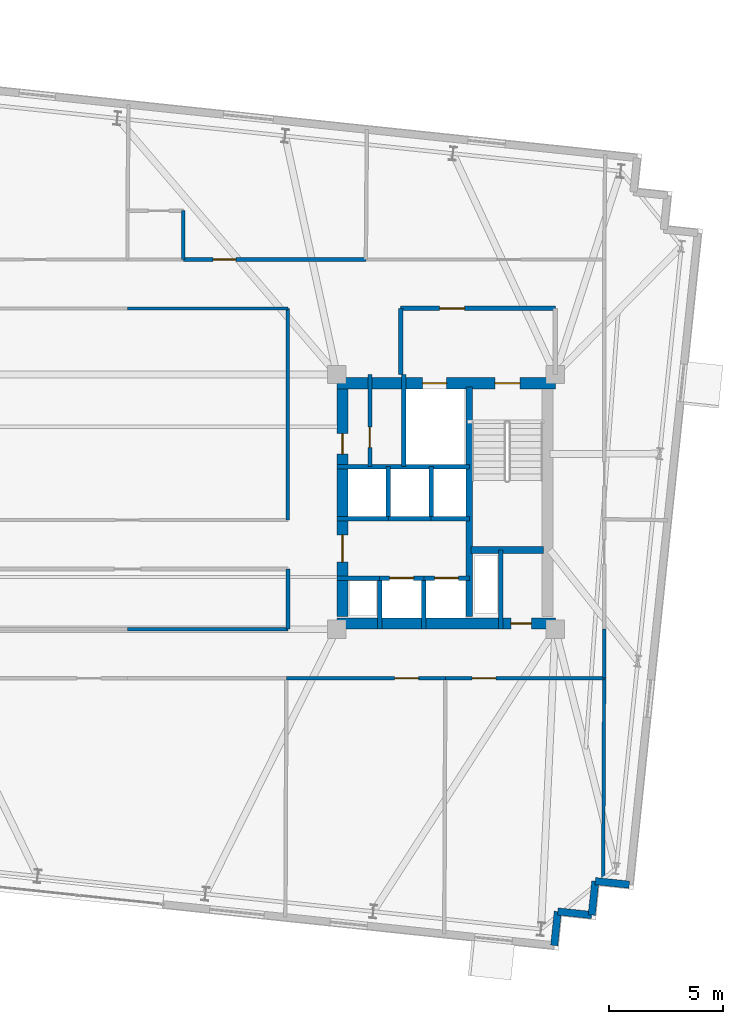
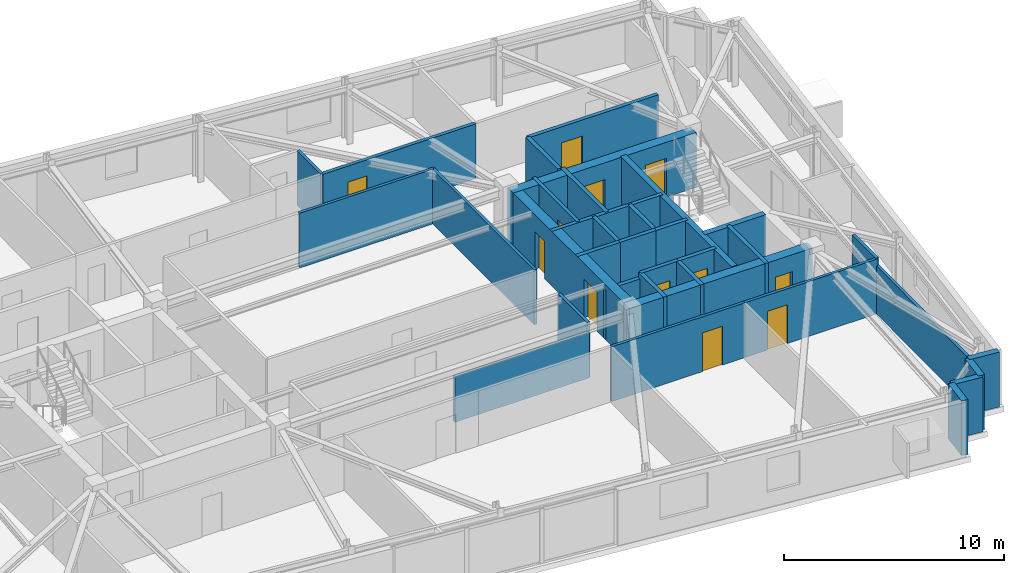
# One storey, part 9 of 12: 35 walls, 12 doors, 12 openings.
"""IFC4 building model written with IfcOpenShell, lengths in metres."""

from ifc_helpers import new_model, si_unit, direction, frame, frame_2d, origin, place, context, subcontext, project, spatial, rectangle, extrude, material, layer, layer_set, type_object, element, fill, save


model = new_model("IFC4")

# Units and contexts
model_context = context("Model", 3, precision=1e-05, world=origin(), true_north=direction((0.0, 1.0)))
body_context = subcontext(model_context, "Body", "Model", "MODEL_VIEW")
ifc_project = project(units=[si_unit("LENGTHUNIT", "METRE"), si_unit("AREAUNIT", "SQUARE_METRE"), si_unit("VOLUMEUNIT", "CUBIC_METRE"), si_unit("PLANEANGLEUNIT", "RADIAN"), si_unit("MASSUNIT", "GRAM", prefix="KILO")], contexts=[model_context])

# Site, building, storey
site_placement = place(None, origin())
site = spatial("IfcSite", under=ifc_project, at=site_placement, CompositionType="ELEMENT")
building_placement = place(site_placement, origin())
building = spatial("IfcBuilding", under=site, at=building_placement, Name="Qobustan Lattice House", CompositionType="ELEMENT")
storey_placement = place(building_placement, frame((0.0, 0.0, 203.10009765625)))
storey = spatial("IfcBuildingStorey", under=building, at=storey_placement, Name="L57", CompositionType="ELEMENT", Elevation=203.10009765625)

# Wall, openings, doors
ifc_material_1 = material(Name="Concrete C50/60", Category="concrete")
ifc_layer_1 = layer(ifc_material_1, 0.5)
ifc_layer_set_1 = layer_set([ifc_layer_1], Name="Concrete C50/60")
wall_type_1 = type_object("IfcWallType", Name="WAL-CORE-500", PredefinedType="SHEAR", material=ifc_layer_set_1)
wall_1_placement = place(storey_placement, frame((9.199951171875, 5.2099609375, 0.0), z_axis=(0.0, 0.0, 1.0), x_axis=(1.0, 0.0, 0.0)))
wall_1 = element("IfcWall", 1, at=wall_1_placement, inside=storey, type_object=wall_type_1, Name="L57 split-core shear wall CE-N", PredefinedType="SHEAR", context=body_context, shape_type="SweptSolid", body=[
    extrude(rectangle(XDim=9.60009765625, YDim=0.5, at=frame_2d((4.800048828125, 0.0))), origin(), (0.0, 0.0, 1.0), 3.039794921875),
])
opening_1_placement = place(wall_1_placement, frame((6.949951171875, 0.0, 0.0)))
opening_1 = element("IfcOpeningElement", 2, at=opening_1_placement, cuts=wall_1, Name="Opening SD-01", PredefinedType="OPENING", context=body_context, shape_type="SweptSolid", body=[
    extrude(rectangle(XDim=1.10009765625, YDim=2.14990234375, at=frame_2d((0.550048828125, 1.074951171875))), frame((0.0, 0.260009765625, 0.0), z_axis=(0.0, -1.0, 0.0), x_axis=(1.0, 0.0, 0.0)), (0.0, 0.0, 1.0), 0.52001953125),
])
opening_2_placement = place(wall_1_placement, frame((3.77490234375, 0.0, 0.0)))
opening_2 = element("IfcOpeningElement", 3, at=opening_2_placement, cuts=wall_1, Name="Opening LD-01", PredefinedType="OPENING", context=body_context, shape_type="SweptSolid", body=[
    extrude(rectangle(XDim=1.050048828125, YDim=2.10009765625, at=frame_2d((0.52490234375, 1.050048828125))), frame((0.0, 0.260009765625, 0.0), z_axis=(0.0, -1.0, 0.0), x_axis=(1.0, 0.0, 0.0)), (0.0, 0.0, 1.0), 0.52001953125),
])
ifc_material_2 = material(Name="Persian walnut timber and steel frame door", Category="steel")
door_type_1 = type_object("IfcDoorType", Name="DOR-LIFT-LD-1050x2100", OperationType="NOTDEFINED", PredefinedType="DOOR", material=ifc_material_2)
door_1_placement = place(opening_2_placement, origin())
door_1 = element("IfcDoor", 4, at=door_1_placement, inside=storey, type_object=door_type_1, Name="L57 firefighting lift FF-E landing door", OperationType="DOUBLE_DOOR_SLIDING", OverallHeight=2.10009765625, OverallWidth=1.050048828125, PredefinedType="DOOR", context=body_context, shape_type="SweptSolid", body=[
    extrude(rectangle(XDim=1.050048828125, YDim=2.10009765625, at=frame_2d((0.52490234375, 1.050048828125))), frame((0.0, 0.02490234375, 0.0), z_axis=(0.0, -1.0, 0.0), x_axis=(1.0, 0.0, 0.0)), (0.0, 0.0, 1.0), 0.050048828125),
])
fill(opening_2, door_1)
ifc_material_3 = material(Name="Persian walnut timber and steel frame door", Category="steel")
door_type_2 = type_object("IfcDoorType", Name="DOR-STAIR-FD-1100x2150", OperationType="NOTDEFINED", PredefinedType="DOOR", material=ifc_material_3)
door_2_placement = place(opening_1_placement, origin())
door_2 = element("IfcDoor", 5, at=door_2_placement, inside=storey, type_object=door_type_2, Name="L57 exit stair ST-E1 fire door", OperationType="SINGLE_SWING_LEFT", OverallHeight=2.14990234375, OverallWidth=1.10009765625, PredefinedType="DOOR", context=body_context, shape_type="SweptSolid", body=[
    extrude(rectangle(XDim=1.10009765625, YDim=2.14990234375, at=frame_2d((0.550048828125, 1.074951171875))), frame((0.0, 0.02490234375, 0.0), z_axis=(0.0, -1.0, 0.0), x_axis=(1.0, 0.0, 0.0)), (0.0, 0.0, 1.0), 0.050048828125),
])
fill(opening_1, door_2)

# Wall, opening, door
wall_2_placement = place(storey_placement, frame((9.199951171875, -5.35009765625, 0.0), z_axis=(0.0, 0.0, 1.0), x_axis=(1.0, 0.0, 0.0)))
wall_2 = element("IfcWall", 6, at=wall_2_placement, inside=storey, type_object=wall_type_1, Name="L57 split-core shear wall CE-S", PredefinedType="SHEAR", context=body_context, shape_type="SweptSolid", body=[
    extrude(rectangle(XDim=9.60009765625, YDim=0.5, at=frame_2d((4.800048828125, 0.0))), origin(), (0.0, 0.0, 1.0), 3.039794921875),
])
opening_3_placement = place(wall_2_placement, frame((7.64990234375, 0.0, 0.0)))
opening_3 = element("IfcOpeningElement", 7, at=opening_3_placement, cuts=wall_2, Name="Opening RD-01", PredefinedType="OPENING", context=body_context, shape_type="SweptSolid", body=[
    extrude(rectangle(XDim=0.89990234375, YDim=2.10009765625, at=frame_2d((0.449951171875, 1.050048828125))), frame((0.0, 0.260009765625, 0.0), z_axis=(0.0, -1.0, 0.0), x_axis=(1.0, 0.0, 0.0)), (0.0, 0.0, 1.0), 0.52001953125),
])
ifc_material_4 = material(Name="Persian walnut timber and steel frame door", Category="steel")
door_type_3 = type_object("IfcDoorType", Name="DOR-RISER-FD-900x2100", OperationType="NOTDEFINED", PredefinedType="DOOR", material=ifc_material_4)
door_3_placement = place(opening_3_placement, origin())
door_3 = element("IfcDoor", 8, at=door_3_placement, inside=storey, type_object=door_type_3, Name="L57 core service riser access door E", OperationType="SINGLE_SWING_LEFT", OverallHeight=2.10009765625, OverallWidth=0.89990234375, PredefinedType="DOOR", context=body_context, shape_type="SweptSolid", body=[
    extrude(rectangle(XDim=0.89990234375, YDim=2.10009765625, at=frame_2d((0.449951171875, 1.050048828125))), frame((0.0, 0.02490234375, 0.0), z_axis=(0.0, -1.0, 0.0), x_axis=(1.0, 0.0, 0.0)), (0.0, 0.0, 1.0), 0.050048828125),
])
fill(opening_3, door_3)

# Wall, openings, doors
wall_3_placement = place(storey_placement, frame((9.449951171875, -5.050048828125, 0.0), z_axis=(0.0, 0.0, 1.0), x_axis=(0.0, 1.0, 0.0)))
wall_3 = element("IfcWall", 9, at=wall_3_placement, inside=storey, type_object=wall_type_1, Name="L57 split-core shear wall CE-W", PredefinedType="SHEAR", context=body_context, shape_type="SweptSolid", body=[
    extrude(rectangle(XDim=10.10009765625, YDim=0.5, at=frame_2d((5.050048828125, 0.0))), origin(), (0.0, 0.0, 1.0), 3.039794921875),
])
opening_4_placement = place(wall_3_placement, frame((7.14990234375, 0.0, 0.0)))
opening_4 = element("IfcOpeningElement", 10, at=opening_4_placement, cuts=wall_3, Name="Opening RD-01", PredefinedType="OPENING", context=body_context, shape_type="SweptSolid", body=[
    extrude(rectangle(XDim=0.89990234375, YDim=2.10009765625, at=frame_2d((0.449951171875, 1.050048828125))), frame((0.0, 0.260009765625, 0.0), z_axis=(0.0, -1.0, 0.0), x_axis=(1.0, 0.0, 0.0)), (0.0, 0.0, 1.0), 0.52001953125),
])
opening_5_placement = place(wall_3_placement, frame((2.39990234375, 0.0, 0.0)))
opening_5 = element("IfcOpeningElement", 11, at=opening_5_placement, cuts=wall_3, Name="Opening FD-01", PredefinedType="OPENING", context=body_context, shape_type="SweptSolid", body=[
    extrude(rectangle(XDim=1.199951171875, YDim=2.14990234375, at=frame_2d((0.60009765625, 1.074951171875))), frame((0.0, 0.260009765625, 0.0), z_axis=(0.0, -1.0, 0.0), x_axis=(1.0, 0.0, 0.0)), (0.0, 0.0, 1.0), 0.52001953125),
])
ifc_material_5 = material(Name="Persian walnut timber and steel frame door", Category="steel")
door_type_4 = type_object("IfcDoorType", Name="DOR-LOBBY-FD-1200x2150", OperationType="NOTDEFINED", PredefinedType="DOOR", material=ifc_material_5)
door_4_placement = place(opening_5_placement, origin())
door_4 = element("IfcDoor", 12, at=door_4_placement, inside=storey, type_object=door_type_4, Name="L57 East passenger lift lobby fire door", OperationType="SINGLE_SWING_RIGHT", OverallHeight=2.14990234375, OverallWidth=1.199951171875, PredefinedType="DOOR", context=body_context, shape_type="SweptSolid", body=[
    extrude(rectangle(XDim=1.199951171875, YDim=2.14990234375, at=frame_2d((0.60009765625, 1.074951171875))), frame((0.0, 0.02490234375, 0.0), z_axis=(0.0, -1.0, 0.0), x_axis=(1.0, 0.0, 0.0)), (0.0, 0.0, 1.0), 0.050048828125),
])
fill(opening_5, door_4)
door_5_placement = place(opening_4_placement, origin())
door_5 = element("IfcDoor", 13, at=door_5_placement, inside=storey, type_object=door_type_3, Name="L57 Print and mail closet fire door", OperationType="SINGLE_SWING_LEFT", OverallHeight=2.10009765625, OverallWidth=0.89990234375, PredefinedType="DOOR", context=body_context, shape_type="SweptSolid", body=[
    extrude(rectangle(XDim=0.89990234375, YDim=2.10009765625, at=frame_2d((0.449951171875, 1.050048828125))), frame((0.0, 0.02490234375, 0.0), z_axis=(0.0, -1.0, 0.0), x_axis=(1.0, 0.0, 0.0)), (0.0, 0.0, 1.0), 0.050048828125),
])
fill(opening_4, door_5)

# Walls
ifc_material_6 = material(Name="Concrete C50/60", Category="concrete")
ifc_layer_2 = layer(ifc_material_6, 0.280029296875)
ifc_layer_set_2 = layer_set([ifc_layer_2], Name="Concrete C50/60")
wall_type_2 = type_object("IfcWallType", Name="WAL-CORE-SPINE-280", PredefinedType="SHEAR", material=ifc_layer_set_2)
wall_4_placement = place(storey_placement, frame((15.02001953125, -5.050048828125, 0.0), z_axis=(0.0, 0.0, 1.0), x_axis=(0.0, 1.0, 0.0)))
element("IfcWall", 14, at=wall_4_placement, inside=storey, type_object=wall_type_2, Name="L57 split-core shear wall CE-M", PredefinedType="SHEAR", context=body_context, shape_type="SweptSolid", body=[
    extrude(rectangle(XDim=10.10009765625, YDim=0.300048828125, at=frame_2d((5.050048828125, 0.0))), origin(), (0.0, 0.0, 1.0), 3.039794921875),
])
wall_5_placement = place(storey_placement, frame((15.10009765625, -2.110107421875, 0.0), z_axis=(0.0, 0.0, 1.0), x_axis=(1.0, 0.0, 0.0)))
element("IfcWall", 15, at=wall_5_placement, inside=storey, type_object=wall_type_2, Name="L57 split-core shear wall CE-ST", PredefinedType="SHEAR", context=body_context, shape_type="SweptSolid", body=[
    extrude(rectangle(XDim=3.179931640625, YDim=0.300048828125, at=frame_2d((1.58984375, 0.0))), origin(), (0.0, 0.0, 1.0), 3.039794921875),
])
ifc_material_7 = material(Name="Precast concrete C40/50", Category="concrete")
ifc_layer_3 = layer(ifc_material_7, 0.320068359375)
ifc_layer_set_3 = layer_set([ifc_layer_3], Name="Precast concrete C40/50")
wall_type_3 = type_object("IfcWallType", Name="WAL-EXT-STONE-320", PredefinedType="SOLIDWALL", material=ifc_layer_set_3)
wall_6_placement = place(storey_placement, frame((22.052978515625, -16.828369140625, 0.0), z_axis=(0.0, 0.0, 1.0), x_axis=(-0.994526834051, 0.104481464157, 0.0)))
element("IfcWall", 16, at=wall_6_placement, inside=storey, type_object=wall_type_3, Name="L57 exterior limestone-clad wall 16", PredefinedType="SOLIDWALL", context=body_context, shape_type="SweptSolid", body=[
    extrude(rectangle(XDim=1.500244140625, YDim=0.320068359375, at=frame_2d((0.75, 0.0))), origin(), (0.0, 0.0, 1.0), 3.039794921875),
])
for number, where, z_axis, x_axis, name in (
    (17, (20.56103515625, -16.671630859375, 0.0), (0.0, 0.0, 1.0), (-0.104498377516, -0.994525057048, 0.0), "L57 exterior limestone-clad wall 17"),
    (18, (20.404296875, -18.163330078125, 0.0), (0.0, 0.0, 1.0), (-0.994525057048, 0.104498377516, 0.0), "L57 exterior limestone-clad wall 18"),
    (19, (18.91259765625, -18.006591796875, 0.0), (0.0, 0.0, 1.0), (-0.104498377516, -0.994525057048, 0.0), "L57 exterior limestone-clad wall 19"),
):
    element("IfcWall", number, at=place(storey_placement, frame(where, z_axis=z_axis, x_axis=x_axis)), inside=storey, type_object=wall_type_3, Name=name, PredefinedType="SOLIDWALL", context=body_context, shape_type="SweptSolid", body=[
        extrude(rectangle(XDim=1.5, YDim=0.320068359375, at=frame_2d((0.75, 0.0))), origin(), (0.0, 0.0, 1.0), 3.039794921875),
    ])

# Wall, opening, door
ifc_material_8 = material(Name="Gypsum fireboard acoustic partition", Category="gypsum")
ifc_layer_4 = layer(ifc_material_8, 0.179931640625)
ifc_layer_set_4 = layer_set([ifc_layer_4], Name="Gypsum fireboard acoustic partition")
wall_type_4 = type_object("IfcWallType", Name="WAL-FIRE-180", PredefinedType="PARTITIONING", material=ifc_layer_set_4)
wall_7_placement = place(storey_placement, frame((10.64990234375, 1.550048828125, 0.0), z_axis=(0.0, 0.0, 1.0), x_axis=(0.0, 1.0, 0.0)))
wall_7 = element("IfcWall", 20, at=wall_7_placement, inside=storey, type_object=wall_type_4, Name="L57 interior partition 18", PredefinedType="PARTITIONING", context=body_context, shape_type="SweptSolid", body=[
    extrude(rectangle(XDim=4.050048828125, YDim=0.179931640625, at=frame_2d((2.02490234375, 0.0))), origin(), (0.0, 0.0, 1.0), 3.039794921875),
])
opening_6_placement = place(wall_7_placement, frame((0.828857421875, 0.0, 0.0)))
opening_6 = element("IfcOpeningElement", 21, at=opening_6_placement, cuts=wall_7, Name="Opening RD-01", PredefinedType="OPENING", context=body_context, shape_type="SweptSolid", body=[
    extrude(rectangle(XDim=0.89990234375, YDim=2.10009765625, at=frame_2d((0.449951171875, 1.050048828125))), frame((0.0, 0.099853515625, 0.0), z_axis=(0.0, -1.0, 0.0), x_axis=(1.0, 0.0, 0.0)), (0.0, 0.0, 1.0), 0.199951171875),
])
door_6_placement = place(opening_6_placement, origin())
door_6 = element("IfcDoor", 22, at=door_6_placement, inside=storey, type_object=door_type_3, Name="L57 Print and mail closet to Core utility store door", OperationType="SINGLE_SWING_RIGHT", OverallHeight=2.10009765625, OverallWidth=0.89990234375, PredefinedType="DOOR", context=body_context, shape_type="SweptSolid", body=[
    extrude(rectangle(XDim=0.89990234375, YDim=2.10009765625, at=frame_2d((0.449951171875, 1.050048828125))), frame((0.0, 0.02490234375, 0.0), z_axis=(0.0, -1.0, 0.0), x_axis=(1.0, 0.0, 0.0)), (0.0, 0.0, 1.0), 0.050048828125),
])
fill(opening_6, door_6)

wall_8_placement = place(storey_placement, frame((2.449951171875, 10.64990234375, 0.0), z_axis=(0.0, 0.0, 1.0), x_axis=(1.0, 0.0, 0.0)))
wall_8 = element("IfcWall", 23, at=wall_8_placement, inside=storey, type_object=wall_type_4, Name="L57 interior partition 38", PredefinedType="PARTITIONING", context=body_context, shape_type="SweptSolid", body=[
    extrude(rectangle(XDim=8.025146484375, YDim=0.179931640625, at=frame_2d((4.0126953125, 0.0))), origin(), (0.0, 0.0, 1.0), 3.039794921875),
])
opening_7_placement = place(wall_8_placement, frame((1.31298828125, 0.0, 0.0)))
opening_7 = element("IfcOpeningElement", 24, at=opening_7_placement, cuts=wall_8, Name="Opening FD-02", PredefinedType="OPENING", context=body_context, shape_type="SweptSolid", body=[
    extrude(rectangle(XDim=1.0, YDim=2.14990234375, at=frame_2d((0.5, 1.074951171875))), frame((0.0, 0.099853515625, 0.0), z_axis=(0.0, -1.0, 0.0), x_axis=(1.0, 0.0, 0.0)), (0.0, 0.0, 1.0), 0.199951171875),
])
ifc_material_9 = material(Name="Persian walnut timber and steel frame door", Category="steel")
door_type_5 = type_object("IfcDoorType", Name="DOR-UNIT-FD-1000x2150", OperationType="NOTDEFINED", PredefinedType="DOOR", material=ifc_material_9)
door_7_placement = place(opening_7_placement, origin())
door_7 = element("IfcDoor", 25, at=door_7_placement, inside=storey, type_object=door_type_5, Name="L57 North-east floor corridor to Kitchenette and studio apartment L57-N3 door", OperationType="SINGLE_SWING_LEFT", OverallHeight=2.14990234375, OverallWidth=1.0, PredefinedType="DOOR", context=body_context, shape_type="SweptSolid", body=[
    extrude(rectangle(XDim=1.0, YDim=2.14990234375, at=frame_2d((0.5, 1.074951171875))), frame((0.0, 0.02490234375, 0.0), z_axis=(0.0, -1.0, 0.0), x_axis=(1.0, 0.0, 0.0)), (0.0, 0.0, 1.0), 0.050048828125),
])
fill(opening_7, door_7)

# Walls
ifc_material_10 = material(Name="Acoustic twin-stud gypsum partition", Category="gypsum")
ifc_layer_5 = layer(ifc_material_10, 0.14990234375)
ifc_layer_set_5 = layer_set([ifc_layer_5], Name="Acoustic twin-stud gypsum partition")
wall_type_5 = type_object("IfcWallType", Name="WAL-PART-150", PredefinedType="PARTITIONING", material=ifc_layer_set_5)
wall_9_placement = place(storey_placement, frame((7.050048828125, 8.5, 0.0), z_axis=(0.0, 0.0, 1.0), x_axis=(-1.0, 0.0, 0.0)))
element("IfcWall", 26, at=wall_9_placement, inside=storey, type_object=wall_type_5, Name="L57 interior partition 41", PredefinedType="PARTITIONING", context=body_context, shape_type="SweptSolid", body=[
    extrude(rectangle(XDim=7.050048828125, YDim=0.14990234375, at=frame_2d((3.52490234375, 0.0))), origin(), (0.0, 0.0, 1.0), 3.039794921875),
])
wall_10_placement = place(storey_placement, frame((20.949951171875, -5.60009765625, 0.0), z_axis=(0.0, 0.0, 1.0), x_axis=(0.0, -1.0, 0.0)))
element("IfcWall", 27, at=wall_10_placement, inside=storey, type_object=wall_type_5, Name="L57 interior partition 46", PredefinedType="PARTITIONING", context=body_context, shape_type="SweptSolid", body=[
    extrude(rectangle(XDim=2.14990234375, YDim=0.14990234375, at=frame_2d((1.074951171875, 0.0))), origin(), (0.0, 0.0, 1.0), 3.039794921875),
])

# Wall, opening, door
wall_11_placement = place(storey_placement, frame((13.966552734375, -7.75, 0.0), z_axis=(0.0, 0.0, 1.0), x_axis=(-1.0, 0.0, 0.0)))
wall_11 = element("IfcWall", 28, at=wall_11_placement, inside=storey, type_object=wall_type_5, Name="L57 interior partition 48", PredefinedType="PARTITIONING", context=body_context, shape_type="SweptSolid", body=[
    extrude(rectangle(XDim=6.983642578125, YDim=0.14990234375, at=frame_2d((3.49169921875, 0.0))), origin(), (0.0, 0.0, 1.0), 3.039794921875),
])
opening_8_placement = place(wall_11_placement, frame((1.1767578125, 0.0, 0.0)))
opening_8 = element("IfcOpeningElement", 29, at=opening_8_placement, cuts=wall_11, Name="Opening ID-02", PredefinedType="OPENING", context=body_context, shape_type="SweptSolid", body=[
    extrude(rectangle(XDim=1.050048828125, YDim=2.14990234375, at=frame_2d((0.52490234375, 1.074951171875))), frame((0.0, 0.0849609375, 0.0), z_axis=(0.0, -1.0, 0.0), x_axis=(1.0, 0.0, 0.0)), (0.0, 0.0, 1.0), 0.169921875),
])
ifc_material_11 = material(Name="Persian walnut timber and steel frame door", Category="steel")
door_type_6 = type_object("IfcDoorType", Name="DOR-STUDY-1050x2150", OperationType="NOTDEFINED", PredefinedType="DOOR", material=ifc_material_11)
door_8_placement = place(opening_8_placement, origin())
door_8 = element("IfcDoor", 30, at=door_8_placement, inside=storey, type_object=door_type_6, Name="L57 South-east floor corridor to Group study room door", OperationType="SINGLE_SWING_LEFT", OverallHeight=2.14990234375, OverallWidth=1.050048828125, PredefinedType="DOOR", context=body_context, shape_type="SweptSolid", body=[
    extrude(rectangle(XDim=1.050048828125, YDim=2.14990234375, at=frame_2d((0.52490234375, 1.074951171875))), frame((0.0, 0.02490234375, 0.0), z_axis=(0.0, -1.0, 0.0), x_axis=(1.0, 0.0, 0.0)), (0.0, 0.0, 1.0), 0.050048828125),
])
fill(opening_8, door_8)

wall_12_placement = place(storey_placement, frame((20.949951171875, -7.75, 0.0), z_axis=(0.0, 0.0, 1.0), x_axis=(-1.0, 0.0, 0.0)))
wall_12 = element("IfcWall", 31, at=wall_12_placement, inside=storey, type_object=wall_type_5, Name="L57 interior partition 49", PredefinedType="PARTITIONING", context=body_context, shape_type="SweptSolid", body=[
    extrude(rectangle(XDim=6.9833984375, YDim=0.14990234375, at=frame_2d((3.49169921875, 0.0))), origin(), (0.0, 0.0, 1.0), 3.039794921875),
])
opening_9_placement = place(wall_12_placement, frame((4.7568359375, 0.0, 0.0)))
opening_9 = element("IfcOpeningElement", 32, at=opening_9_placement, cuts=wall_12, Name="Opening ID-02", PredefinedType="OPENING", context=body_context, shape_type="SweptSolid", body=[
    extrude(rectangle(XDim=1.050048828125, YDim=2.14990234375, at=frame_2d((0.52490234375, 1.074951171875))), frame((0.0, 0.0849609375, 0.0), z_axis=(0.0, -1.0, 0.0), x_axis=(1.0, 0.0, 0.0)), (0.0, 0.0, 1.0), 0.169921875),
])
door_9_placement = place(opening_9_placement, origin())
door_9 = element("IfcDoor", 33, at=door_9_placement, inside=storey, type_object=door_type_6, Name="L57 South-east floor corridor to Academic seminar room door", OperationType="SINGLE_SWING_RIGHT", OverallHeight=2.14990234375, OverallWidth=1.050048828125, PredefinedType="DOOR", context=body_context, shape_type="SweptSolid", body=[
    extrude(rectangle(XDim=1.050048828125, YDim=2.14990234375, at=frame_2d((0.52490234375, 1.074951171875))), frame((0.0, 0.02490234375, 0.0), z_axis=(0.0, -1.0, 0.0), x_axis=(1.0, 0.0, 0.0)), (0.0, 0.0, 1.0), 0.050048828125),
])
fill(opening_9, door_9)

# Walls
wall_13_placement = place(storey_placement, frame((7.050048828125, -0.800048828125, 0.0), z_axis=(0.0, 0.0, 1.0), x_axis=(0.0, 1.0, 0.0)))
element("IfcWall", 34, at=wall_13_placement, inside=storey, type_object=wall_type_5, Name="L57 interior partition 59", PredefinedType="PARTITIONING", context=body_context, shape_type="SweptSolid", body=[
    extrude(rectangle(XDim=9.300048828125, YDim=0.14990234375, at=frame_2d((4.64990234375, 0.0))), origin(), (0.0, 0.0, 1.0), 3.039794921875),
])
wall_14_placement = place(storey_placement, frame((20.906005859375, -16.7080078125, 0.0), z_axis=(0.0, 0.0, 1.0), x_axis=(0.004905642486, 0.999987967264, 0.0)))
element("IfcWall", 35, at=wall_14_placement, inside=storey, type_object=wall_type_5, Name="L57 interior partition 65", PredefinedType="PARTITIONING", context=body_context, shape_type="SweptSolid", body=[
    extrude(rectangle(XDim=8.9580078125, YDim=0.14990234375, at=frame_2d((4.47900390625, 0.0))), origin(), (0.0, 0.0, 1.0), 2.664794921875),
])
ifc_material_12 = material(Name="High-mass acoustic twin-stud partition", Category="gypsum")
ifc_layer_6 = layer(ifc_material_12, 0.1650390625)
ifc_layer_set_6 = layer_set([ifc_layer_6], Name="High-mass acoustic twin-stud partition")
wall_type_6 = type_object("IfcWallType", Name="WAL-PART-165", PredefinedType="PARTITIONING", material=ifc_layer_set_6)
wall_15_placement = place(storey_placement, frame((0.0, -5.60009765625, 0.0), z_axis=(0.0, 0.0, 1.0), x_axis=(1.0, 0.0, 0.0)))
element("IfcWall", 36, at=wall_15_placement, inside=storey, type_object=wall_type_6, Name="L57 interior partition 50", PredefinedType="PARTITIONING", context=body_context, shape_type="SweptSolid", body=[
    extrude(rectangle(XDim=7.050048828125, YDim=0.1650390625, at=frame_2d((3.52490234375, 0.0))), origin(), (0.0, 0.0, 1.0), 2.52490234375),
])
wall_16_placement = place(storey_placement, frame((7.050048828125, -5.60009765625, 0.0), z_axis=(0.0, 0.0, 1.0), x_axis=(0.0, 1.0, 0.0)))
element("IfcWall", 37, at=wall_16_placement, inside=storey, type_object=wall_type_6, Name="L57 interior partition 60", PredefinedType="PARTITIONING", context=body_context, shape_type="SweptSolid", body=[
    extrude(rectangle(XDim=2.650146484375, YDim=0.1650390625, at=frame_2d((1.3251953125, 0.0))), origin(), (0.0, 0.0, 1.0), 3.039794921875),
])

# Wall, opening, door
ifc_material_13 = material(Name="Two-hour gypsum fireboard acoustic partition", Category="gypsum")
ifc_layer_7 = layer(ifc_material_13, 0.199951171875)
ifc_layer_set_7 = layer_set([ifc_layer_7], Name="Two-hour gypsum fireboard acoustic partition")
wall_type_7 = type_object("IfcWallType", Name="WAL-PROT-200", PredefinedType="PARTITIONING", material=ifc_layer_set_7)
wall_17_placement = place(storey_placement, frame((18.800048828125, 8.5, 0.0), z_axis=(0.0, 0.0, 1.0), x_axis=(-1.0, 0.0, 0.0)))
wall_17 = element("IfcWall", 38, at=wall_17_placement, inside=storey, type_object=wall_type_7, Name="L57 interior partition 15", PredefinedType="PARTITIONING", context=body_context, shape_type="SweptSolid", body=[
    extrude(rectangle(XDim=6.800048828125, YDim=0.199951171875, at=frame_2d((3.39990234375, 0.0))), origin(), (0.0, 0.0, 1.0), 3.039794921875),
])
opening_10_placement = place(wall_17_placement, frame((3.985107421875, 0.0, 0.0)))
opening_10 = element("IfcOpeningElement", 39, at=opening_10_placement, cuts=wall_17, Name="Opening SD-01", PredefinedType="OPENING", context=body_context, shape_type="SweptSolid", body=[
    extrude(rectangle(XDim=1.10009765625, YDim=2.14990234375, at=frame_2d((0.550048828125, 1.074951171875))), frame((0.0, 0.10986328125, 0.0), z_axis=(0.0, -1.0, 0.0), x_axis=(1.0, 0.0, 0.0)), (0.0, 0.0, 1.0), 0.219970703125),
])
door_10_placement = place(opening_10_placement, origin())
door_10 = element("IfcDoor", 40, at=door_10_placement, inside=storey, type_object=door_type_2, Name="L57 East firefighting lift lobby to North-east floor corridor door", OperationType="SINGLE_SWING_LEFT", OverallHeight=2.14990234375, OverallWidth=1.10009765625, PredefinedType="DOOR", context=body_context, shape_type="SweptSolid", body=[
    extrude(rectangle(XDim=1.10009765625, YDim=2.14990234375, at=frame_2d((0.550048828125, 1.074951171875))), frame((0.0, 0.02490234375, 0.0), z_axis=(0.0, -1.0, 0.0), x_axis=(1.0, 0.0, 0.0)), (0.0, 0.0, 1.0), 0.050048828125),
])
fill(opening_10, door_10)

# Walls
wall_18_placement = place(storey_placement, frame((12.0, 8.5, 0.0), z_axis=(0.0, 0.0, 1.0), x_axis=(0.0, -1.0, 0.0)))
element("IfcWall", 41, at=wall_18_placement, inside=storey, type_object=wall_type_7, Name="L57 interior partition 17", PredefinedType="PARTITIONING", context=body_context, shape_type="SweptSolid", body=[
    extrude(rectangle(XDim=2.89990234375, YDim=0.199951171875, at=frame_2d((1.449951171875, 0.0))), origin(), (0.0, 0.0, 1.0), 3.039794921875),
])
ifc_material_14 = material(Name="Concrete C40/50", Category="concrete")
ifc_layer_8 = layer(ifc_material_14, 0.199951171875)
ifc_layer_set_8 = layer_set([ifc_layer_8], Name="Concrete C40/50")
wall_type_8 = type_object("IfcWallType", Name="WAL-SHAFT-200", PredefinedType="PARTITIONING", material=ifc_layer_set_8)
wall_19_placement = place(storey_placement, frame((16.39990234375, -2.110107421875, 0.0), z_axis=(0.0, 0.0, 1.0), x_axis=(0.0, -1.0, 0.0)))
element("IfcWall", 42, at=wall_19_placement, inside=storey, type_object=wall_type_8, Name="L57 interior partition 13", PredefinedType="PARTITIONING", context=body_context, shape_type="SweptSolid", body=[
    extrude(rectangle(XDim=3.489990234375, YDim=0.199951171875, at=frame_2d((1.7451171875, 0.0))), origin(), (0.0, 0.0, 1.0), 3.039794921875),
])
wall_20_placement = place(storey_placement, frame((12.14990234375, 5.60009765625, 0.0), z_axis=(0.0, 0.0, 1.0), x_axis=(0.0, -1.0, 0.0)))
element("IfcWall", 43, at=wall_20_placement, inside=storey, type_object=wall_type_8, Name="L57 interior partition 14", PredefinedType="PARTITIONING", context=body_context, shape_type="SweptSolid", body=[
    extrude(rectangle(XDim=4.050048828125, YDim=0.199951171875, at=frame_2d((2.02490234375, 0.0))), origin(), (0.0, 0.0, 1.0), 3.039794921875),
])
wall_21_placement = place(storey_placement, frame((9.199951171875, -3.35009765625, 0.0), z_axis=(0.0, 0.0, 1.0), x_axis=(1.0, 0.0, 0.0)))
element("IfcWall", 44, at=wall_21_placement, inside=storey, type_object=wall_type_8, Name="L57 interior partition 20", PredefinedType="PARTITIONING", context=body_context, shape_type="SweptSolid", body=[
    extrude(rectangle(XDim=1.880126953125, YDim=0.199951171875, at=frame_2d((0.93994140625, 0.0))), origin(), (0.0, 0.0, 1.0), 2.7548828125),
])

# Wall, opening, door
wall_22_placement = place(storey_placement, frame((11.080078125, -3.35009765625, 0.0), z_axis=(0.0, 0.0, 1.0), x_axis=(1.0, 0.0, 0.0)))
wall_22 = element("IfcWall", 45, at=wall_22_placement, inside=storey, type_object=wall_type_8, Name="L57 interior partition 21", PredefinedType="PARTITIONING", context=body_context, shape_type="SweptSolid", body=[
    extrude(rectangle(XDim=1.93994140625, YDim=0.199951171875, at=frame_2d((0.969970703125, 0.0))), origin(), (0.0, 0.0, 1.0), 3.039794921875),
])
opening_11_placement = place(wall_22_placement, frame((0.445068359375, 0.0, 0.0)))
opening_11 = element("IfcOpeningElement", 46, at=opening_11_placement, cuts=wall_22, Name="Opening LD-01", PredefinedType="OPENING", context=body_context, shape_type="SweptSolid", body=[
    extrude(rectangle(XDim=1.050048828125, YDim=2.10009765625, at=frame_2d((0.52490234375, 1.050048828125))), frame((0.0, 0.10986328125, 0.0), z_axis=(0.0, -1.0, 0.0), x_axis=(1.0, 0.0, 0.0)), (0.0, 0.0, 1.0), 0.219970703125),
])
door_11_placement = place(opening_11_placement, origin())
door_11 = element("IfcDoor", 47, at=door_11_placement, inside=storey, type_object=door_type_1, Name="L57 lift landing door", OperationType="DOUBLE_DOOR_SLIDING", OverallHeight=2.10009765625, OverallWidth=1.050048828125, PredefinedType="DOOR", context=body_context, shape_type="SweptSolid", body=[
    extrude(rectangle(XDim=1.050048828125, YDim=2.10009765625, at=frame_2d((0.52490234375, 1.050048828125))), frame((0.0, 0.02490234375, 0.0), z_axis=(0.0, -1.0, 0.0), x_axis=(1.0, 0.0, 0.0)), (0.0, 0.0, 1.0), 0.050048828125),
])
fill(opening_11, door_11)

wall_23_placement = place(storey_placement, frame((13.02001953125, -3.35009765625, 0.0), z_axis=(0.0, 0.0, 1.0), x_axis=(1.0, 0.0, 0.0)))
wall_23 = element("IfcWall", 48, at=wall_23_placement, inside=storey, type_object=wall_type_8, Name="L57 interior partition 22", PredefinedType="PARTITIONING", context=body_context, shape_type="SweptSolid", body=[
    extrude(rectangle(XDim=2.0, YDim=0.199951171875, at=frame_2d((1.0, 0.0))), origin(), (0.0, 0.0, 1.0), 3.039794921875),
])
opening_12_placement = place(wall_23_placement, frame((0.47509765625, 0.0, 0.0)))
opening_12 = element("IfcOpeningElement", 49, at=opening_12_placement, cuts=wall_23, Name="Opening LD-01", PredefinedType="OPENING", context=body_context, shape_type="SweptSolid", body=[
    extrude(rectangle(XDim=1.050048828125, YDim=2.10009765625, at=frame_2d((0.52490234375, 1.050048828125))), frame((0.0, 0.10986328125, 0.0), z_axis=(0.0, -1.0, 0.0), x_axis=(1.0, 0.0, 0.0)), (0.0, 0.0, 1.0), 0.219970703125),
])
door_12_placement = place(opening_12_placement, origin())
door_12 = element("IfcDoor", 50, at=door_12_placement, inside=storey, type_object=door_type_1, Name="L57 lift landing door", OperationType="DOUBLE_DOOR_SLIDING", OverallHeight=2.10009765625, OverallWidth=1.050048828125, PredefinedType="DOOR", context=body_context, shape_type="SweptSolid", body=[
    extrude(rectangle(XDim=1.050048828125, YDim=2.10009765625, at=frame_2d((0.52490234375, 1.050048828125))), frame((0.0, 0.02490234375, 0.0), z_axis=(0.0, -1.0, 0.0), x_axis=(1.0, 0.0, 0.0)), (0.0, 0.0, 1.0), 0.050048828125),
])
fill(opening_12, door_12)

# Walls
wall_24_placement = place(storey_placement, frame((11.4599609375, -0.75, 0.0), z_axis=(0.0, 0.0, 1.0), x_axis=(-1.0, 0.0, 0.0)))
element("IfcWall", 51, at=wall_24_placement, inside=storey, type_object=wall_type_8, Name="L57 interior partition 23", PredefinedType="PARTITIONING", context=body_context, shape_type="SweptSolid", body=[
    extrude(rectangle(XDim=2.260009765625, YDim=0.199951171875, at=frame_2d((1.1298828125, 0.0))), origin(), (0.0, 0.0, 1.0), 3.039794921875),
])
wall_25_placement = place(storey_placement, frame((13.340087890625, -0.75, 0.0), z_axis=(0.0, 0.0, 1.0), x_axis=(-1.0, 0.0, 0.0)))
element("IfcWall", 52, at=wall_25_placement, inside=storey, type_object=wall_type_8, Name="L57 interior partition 24", PredefinedType="PARTITIONING", context=body_context, shape_type="SweptSolid", body=[
    extrude(rectangle(XDim=1.880126953125, YDim=0.199951171875, at=frame_2d((0.93994140625, 0.0))), origin(), (0.0, 0.0, 1.0), 3.039794921875),
])
wall_26_placement = place(storey_placement, frame((15.02001953125, -0.75, 0.0), z_axis=(0.0, 0.0, 1.0), x_axis=(-1.0, 0.0, 0.0)))
element("IfcWall", 53, at=wall_26_placement, inside=storey, type_object=wall_type_8, Name="L57 interior partition 25", PredefinedType="PARTITIONING", context=body_context, shape_type="SweptSolid", body=[
    extrude(rectangle(XDim=1.679931640625, YDim=0.199951171875, at=frame_2d((0.83984375, 0.0))), origin(), (0.0, 0.0, 1.0), 3.039794921875),
])
for number, where, z_axis, x_axis, name in (
    (54, (11.080078125, -5.60009765625, 0.0), (0.0, 0.0, 1.0), (0.0, 1.0, 0.0), "L57 interior partition 27"),
    (55, (13.02001953125, -5.60009765625, 0.0), (0.0, 0.0, 1.0), (0.0, 1.0, 0.0), "L57 interior partition 28"),
):
    element("IfcWall", number, at=place(storey_placement, frame(where, z_axis=z_axis, x_axis=x_axis)), inside=storey, type_object=wall_type_8, Name=name, PredefinedType="PARTITIONING", context=body_context, shape_type="SweptSolid", body=[
        extrude(rectangle(XDim=2.25, YDim=0.199951171875, at=frame_2d((1.125, 0.0))), origin(), (0.0, 0.0, 1.0), 3.039794921875),
    ])
for number, where, z_axis, x_axis, name in (
    (56, (11.4599609375, -0.75, 0.0), (0.0, 0.0, 1.0), (0.0, 1.0, 0.0), "L57 interior partition 29"),
    (57, (13.340087890625, -0.75, 0.0), (0.0, 0.0, 1.0), (0.0, 1.0, 0.0), "L57 interior partition 30"),
):
    element("IfcWall", number, at=place(storey_placement, frame(where, z_axis=z_axis, x_axis=x_axis)), inside=storey, type_object=wall_type_8, Name=name, PredefinedType="PARTITIONING", context=body_context, shape_type="SweptSolid", body=[
        extrude(rectangle(XDim=2.300048828125, YDim=0.199951171875, at=frame_2d((1.14990234375, 0.0))), origin(), (0.0, 0.0, 1.0), 3.039794921875),
    ])
wall_27_placement = place(storey_placement, frame((9.199951171875, 1.550048828125, 0.0), z_axis=(0.0, 0.0, 1.0), x_axis=(1.0, 0.0, 0.0)))
element("IfcWall", 58, at=wall_27_placement, inside=storey, type_object=wall_type_8, Name="L57 interior partition 79", PredefinedType="PARTITIONING", context=body_context, shape_type="SweptSolid", body=[
    extrude(rectangle(XDim=5.820068359375, YDim=0.199951171875, at=frame_2d((2.91015625, 0.0))), origin(), (0.0, 0.0, 1.0), 3.039794921875),
])
ifc_material_15 = material(Name="Moisture-resistant acoustic plumbing wall", Category="gypsum")
ifc_layer_9 = layer(ifc_material_15, 0.14990234375)
ifc_layer_set_9 = layer_set([ifc_layer_9], Name="Moisture-resistant acoustic plumbing wall")
wall_type_9 = type_object("IfcWallType", Name="WAL-WET-150", PredefinedType="PLUMBINGWALL", material=ifc_layer_set_9)
wall_28_placement = place(storey_placement, frame((2.449951171875, 10.64990234375, 0.0), z_axis=(0.0, 0.0, 1.0), x_axis=(0.0, 1.0, 0.0)))
element("IfcWall", 59, at=wall_28_placement, inside=storey, type_object=wall_type_9, Name="L57 interior partition 73", PredefinedType="PLUMBINGWALL", context=body_context, shape_type="SweptSolid", body=[
    extrude(rectangle(XDim=2.150146484375, YDim=0.14990234375, at=frame_2d((1.0751953125, 0.0))), origin(), (0.0, 0.0, 1.0), 3.039794921875),
])

save(model, "model.ifc")
